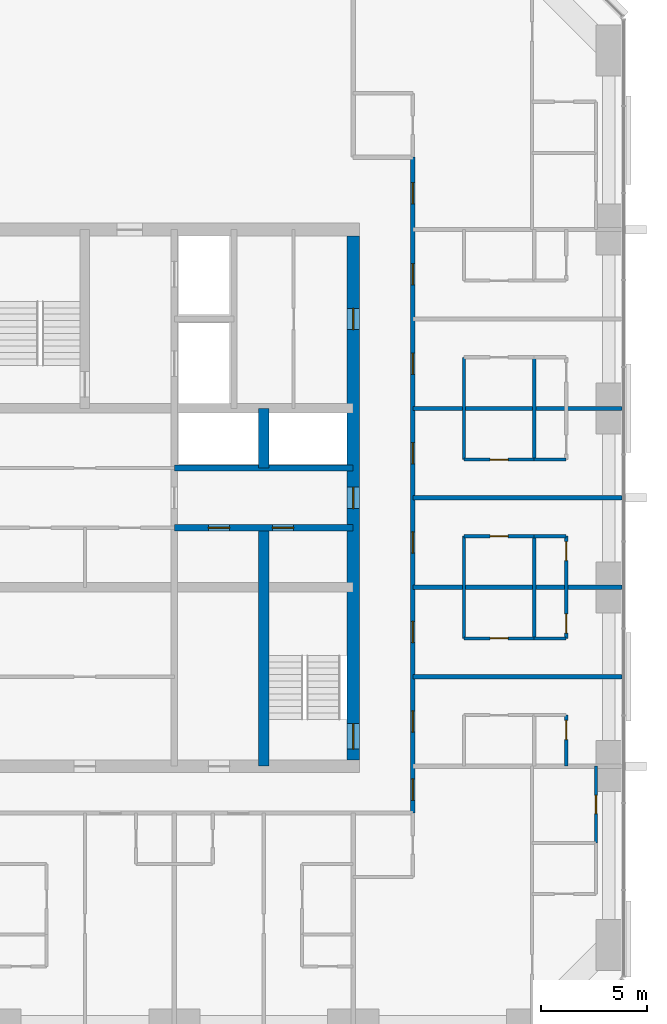
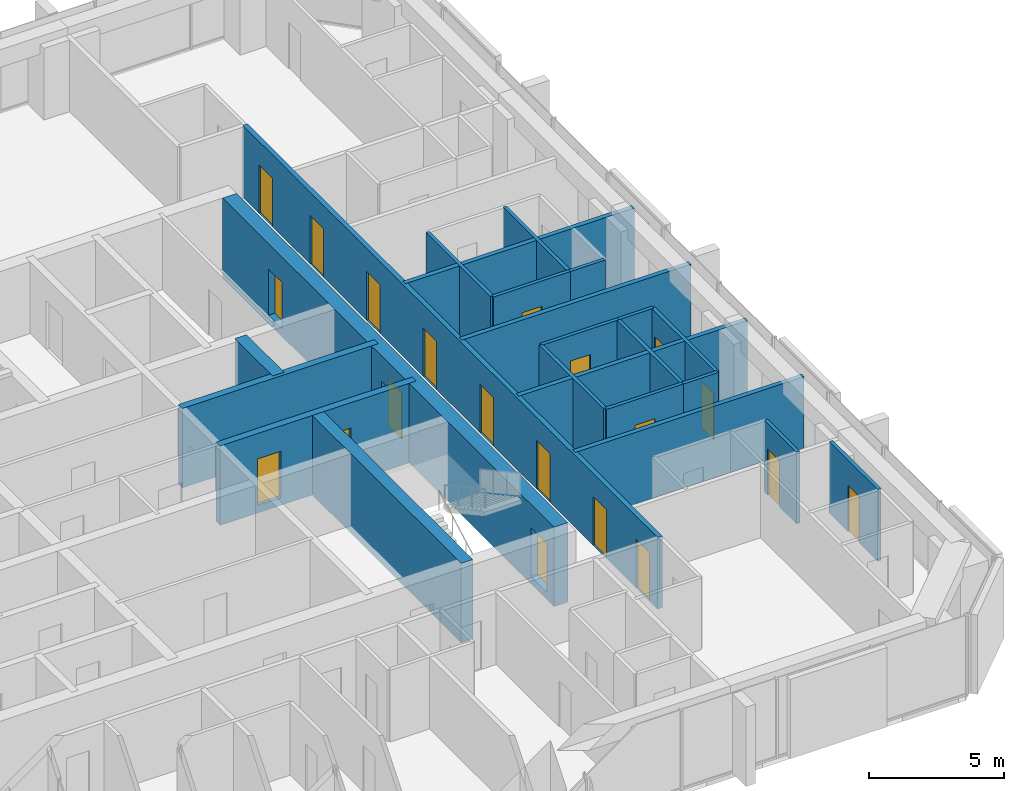
# One storey, part 11 of 14: 23 walls, 20 doors, 20 openings.
"""IFC4 building model written with IfcOpenShell, lengths in metres."""

from ifc_helpers import new_model, si_unit, direction, frame, frame_2d, origin, place, context, subcontext, project, spatial, rectangle, extrude, material, layer, layer_set, type_object, element, fill, save


model = new_model("IFC4")

# Units and contexts
model_context = context("Model", 3, precision=1e-05, world=origin(), true_north=direction((0.0, 1.0)))
body_context = subcontext(model_context, "Body", "Model", "MODEL_VIEW")
ifc_project = project(units=[si_unit("LENGTHUNIT", "METRE"), si_unit("AREAUNIT", "SQUARE_METRE"), si_unit("VOLUMEUNIT", "CUBIC_METRE"), si_unit("PLANEANGLEUNIT", "RADIAN"), si_unit("MASSUNIT", "GRAM", prefix="KILO")], contexts=[model_context])

# Site, building, storey
site_placement = place(None, origin())
site = spatial("IfcSite", under=ifc_project, at=site_placement, CompositionType="ELEMENT")
building_placement = place(site_placement, origin())
building = spatial("IfcBuilding", under=site, at=building_placement, Name="Dunama Terrace Hotel", CompositionType="ELEMENT")
storey_placement = place(building_placement, frame((0.0, 0.0, 180.60009765625)))
storey = spatial("IfcBuildingStorey", under=building, at=storey_placement, Name="L46", CompositionType="ELEMENT", Elevation=180.60009765625)

# Walls
ifc_material_1 = material(Name="Gypsum board partition", Category="masonry")
ifc_layer_1 = layer(ifc_material_1, 0.14990234375)
ifc_layer_set_1 = layer_set([ifc_layer_1], Name="Bathroom partition 150")
wall_type_1 = type_object("IfcWallType", Name="Bathroom partition 150", PredefinedType="PARTITIONING", material=ifc_layer_set_1)
for number, where, z_axis, x_axis, name in (
    (1, (47.199951171875, 22.800048828125, 0.0), (0.0, 0.0, 1.0), (0.0, 1.0, 0.0), "Bathroom partition 150 L46"),
    (2, (47.199951171875, 31.199951171875, 0.0), (0.0, 0.0, 1.0), (0.0, 1.0, 0.0), "Bathroom partition 150 L46"),
):
    element("IfcWall", number, at=place(storey_placement, frame(where, z_axis=z_axis, x_axis=x_axis)), inside=storey, type_object=wall_type_1, Name=name, PredefinedType="PARTITIONING", context=body_context, shape_type="SweptSolid", body=[
        extrude(rectangle(XDim=4.800048828125, YDim=0.14990234375, at=frame_2d((2.39990234375, 0.0))), origin(), (0.0, 0.0, 1.0), 3.25),
    ])

# Wall, opening, door
wall_1_placement = place(storey_placement, frame((53.39990234375, 13.199951171875, 0.0), z_axis=(0.0, 0.0, 1.0), x_axis=(0.0, 1.0, 0.0)))
wall_1 = element("IfcWall", 3, at=wall_1_placement, inside=storey, type_object=wall_type_1, Name="Bathroom partition 150 L46", PredefinedType="PARTITIONING", context=body_context, shape_type="SweptSolid", body=[
    extrude(rectangle(XDim=3.60009765625, YDim=0.14990234375, at=frame_2d((1.800048828125, 0.0))), origin(), (0.0, 0.0, 1.0), 3.25),
])
opening_1_placement = place(wall_1_placement, frame((1.375, 0.0, 0.0)))
opening_1 = element("IfcOpeningElement", 4, at=opening_1_placement, cuts=wall_1, Name="Opening L46-47-060", PredefinedType="OPENING", context=body_context, shape_type="SweptSolid", body=[
    extrude(rectangle(XDim=0.85009765625, YDim=2.10009765625, at=frame_2d((0.425048828125, 1.050048828125))), frame((0.0, 0.0849609375, 0.0), z_axis=(0.0, -1.0, 0.0), x_axis=(1.0, 0.0, 0.0)), (0.0, 0.0, 1.0), 0.169921875),
])
ifc_material_2 = material(Name="Timber door with steel frame", Category="steel")
door_type_1 = type_object("IfcDoorType", Name="Bathroom door 850", OperationType="SINGLE_SWING_LEFT", PredefinedType="DOOR", material=ifc_material_2)
door_1_placement = place(opening_1_placement, origin())
door_1 = element("IfcDoor", 5, at=door_1_placement, inside=storey, type_object=door_type_1, Name="Door to en-suite bathroom L46-47-060, type D2", OperationType="SINGLE_SWING_RIGHT", OverallHeight=2.10009765625, OverallWidth=0.85009765625, PredefinedType="DOOR", context=body_context, shape_type="SweptSolid", body=[
    extrude(rectangle(XDim=0.85009765625, YDim=2.10009765625, at=frame_2d((0.425048828125, 1.050048828125))), frame((0.0, 0.02490234375, 0.0), z_axis=(0.0, -1.0, 0.0), x_axis=(1.0, 0.0, 0.0)), (0.0, 0.0, 1.0), 0.050048828125),
])
fill(opening_1, door_1)

wall_2_placement = place(storey_placement, frame((47.199951171875, 22.800048828125, 0.0), z_axis=(0.0, 0.0, 1.0), x_axis=(1.0, 0.0, 0.0)))
wall_2 = element("IfcWall", 6, at=wall_2_placement, inside=storey, type_object=wall_type_1, Name="Bathroom partition 150 L46", PredefinedType="PARTITIONING", context=body_context, shape_type="SweptSolid", body=[
    extrude(rectangle(XDim=3.300048828125, YDim=0.14990234375, at=frame_2d((1.64990234375, 0.0))), origin(), (0.0, 0.0, 1.0), 3.25),
])
opening_2_placement = place(wall_2_placement, frame((1.22509765625, 0.0, 0.0)))
opening_2 = element("IfcOpeningElement", 7, at=opening_2_placement, cuts=wall_2, Name="Opening L46-47-028", PredefinedType="OPENING", context=body_context, shape_type="SweptSolid", body=[
    extrude(rectangle(XDim=0.85009765625, YDim=2.10009765625, at=frame_2d((0.425048828125, 1.050048828125))), frame((0.0, 0.0849609375, 0.0), z_axis=(0.0, -1.0, 0.0), x_axis=(1.0, 0.0, 0.0)), (0.0, 0.0, 1.0), 0.169921875),
])
door_2_placement = place(opening_2_placement, origin())
door_2 = element("IfcDoor", 8, at=door_2_placement, inside=storey, type_object=door_type_1, Name="Door to en-suite bathroom L46-47-028, type D2", OperationType="SINGLE_SWING_RIGHT", OverallHeight=2.10009765625, OverallWidth=0.85009765625, PredefinedType="DOOR", context=body_context, shape_type="SweptSolid", body=[
    extrude(rectangle(XDim=0.85009765625, YDim=2.10009765625, at=frame_2d((0.425048828125, 1.050048828125))), frame((0.0, 0.02490234375, 0.0), z_axis=(0.0, -1.0, 0.0), x_axis=(1.0, 0.0, 0.0)), (0.0, 0.0, 1.0), 0.050048828125),
])
fill(opening_2, door_2)

wall_3_placement = place(storey_placement, frame((47.199951171875, 27.60009765625, 0.0), z_axis=(0.0, 0.0, 1.0), x_axis=(1.0, 0.0, 0.0)))
wall_3 = element("IfcWall", 9, at=wall_3_placement, inside=storey, type_object=wall_type_1, Name="Bathroom partition 150 L46", PredefinedType="PARTITIONING", context=body_context, shape_type="SweptSolid", body=[
    extrude(rectangle(XDim=3.300048828125, YDim=0.14990234375, at=frame_2d((1.64990234375, 0.0))), origin(), (0.0, 0.0, 1.0), 3.25),
])
opening_3_placement = place(wall_3_placement, frame((1.22509765625, 0.0, 0.0)))
opening_3 = element("IfcOpeningElement", 10, at=opening_3_placement, cuts=wall_3, Name="Opening L46-47-031", PredefinedType="OPENING", context=body_context, shape_type="SweptSolid", body=[
    extrude(rectangle(XDim=0.85009765625, YDim=2.10009765625, at=frame_2d((0.425048828125, 1.050048828125))), frame((0.0, 0.0849609375, 0.0), z_axis=(0.0, -1.0, 0.0), x_axis=(1.0, 0.0, 0.0)), (0.0, 0.0, 1.0), 0.169921875),
])
door_3_placement = place(opening_3_placement, frame((0.85009765625, 0.0, 0.0), z_axis=(0.0, 0.0, 1.0), x_axis=(-1.0, 0.0, 0.0)))
door_3 = element("IfcDoor", 11, at=door_3_placement, inside=storey, type_object=door_type_1, Name="Door to en-suite bathroom L46-47-031, type D2", OperationType="SINGLE_SWING_LEFT", OverallHeight=2.10009765625, OverallWidth=0.85009765625, PredefinedType="DOOR", context=body_context, shape_type="SweptSolid", body=[
    extrude(rectangle(XDim=0.85009765625, YDim=2.10009765625, at=frame_2d((0.425048828125, 1.050048828125))), frame((0.0, 0.025146484375, 0.0), z_axis=(0.0, -1.0, 0.0), x_axis=(1.0, 0.0, 0.0)), (0.0, 0.0, 1.0), 0.050048828125),
])
fill(opening_3, door_3)

wall_4_placement = place(storey_placement, frame((47.199951171875, 31.199951171875, 0.0), z_axis=(0.0, 0.0, 1.0), x_axis=(1.0, 0.0, 0.0)))
wall_4 = element("IfcWall", 12, at=wall_4_placement, inside=storey, type_object=wall_type_1, Name="Bathroom partition 150 L46", PredefinedType="PARTITIONING", context=body_context, shape_type="SweptSolid", body=[
    extrude(rectangle(XDim=3.300048828125, YDim=0.14990234375, at=frame_2d((1.64990234375, 0.0))), origin(), (0.0, 0.0, 1.0), 3.25),
])
opening_4_placement = place(wall_4_placement, frame((1.22509765625, 0.0, 0.0)))
opening_4 = element("IfcOpeningElement", 13, at=opening_4_placement, cuts=wall_4, Name="Opening L46-47-034", PredefinedType="OPENING", context=body_context, shape_type="SweptSolid", body=[
    extrude(rectangle(XDim=0.85009765625, YDim=2.10009765625, at=frame_2d((0.425048828125, 1.050048828125))), frame((0.0, 0.0849609375, 0.0), z_axis=(0.0, -1.0, 0.0), x_axis=(1.0, 0.0, 0.0)), (0.0, 0.0, 1.0), 0.169921875),
])
door_4_placement = place(opening_4_placement, origin())
door_4 = element("IfcDoor", 14, at=door_4_placement, inside=storey, type_object=door_type_1, Name="Door to en-suite bathroom L46-47-034, type D2", OperationType="SINGLE_SWING_RIGHT", OverallHeight=2.10009765625, OverallWidth=0.85009765625, PredefinedType="DOOR", context=body_context, shape_type="SweptSolid", body=[
    extrude(rectangle(XDim=0.85009765625, YDim=2.10009765625, at=frame_2d((0.425048828125, 1.050048828125))), frame((0.0, 0.02490234375, 0.0), z_axis=(0.0, -1.0, 0.0), x_axis=(1.0, 0.0, 0.0)), (0.0, 0.0, 1.0), 0.050048828125),
])
fill(opening_4, door_4)

# Wall, openings, doors
ifc_material_3 = material(Name="Concrete C50/60", Category="concrete")
ifc_layer_2 = layer(ifc_material_3, 0.300048828125)
ifc_layer_set_2 = layer_set([ifc_layer_2], Name="Core inner wall 300")
wall_type_2 = type_object("IfcWallType", Name="Core inner wall 300", PredefinedType="SHEAR", material=ifc_layer_set_2)
wall_5_placement = place(storey_placement, frame((33.60009765625, 28.0, -0.35009765625), z_axis=(0.0, 0.0, 1.0), x_axis=(1.0, 0.0, 0.0)))
wall_5 = element("IfcWall", 15, at=wall_5_placement, inside=storey, type_object=wall_type_2, Name="Core inner wall 300 L46", PredefinedType="SHEAR", context=body_context, shape_type="SweptSolid", body=[
    extrude(rectangle(XDim=8.39990234375, YDim=0.300048828125, at=frame_2d((4.199951171875, 0.0))), origin(), (0.0, 0.0, 1.0), 3.60009765625),
])
opening_5_placement = place(wall_5_placement, frame((1.60009765625, 0.0, 0.35009765625)))
opening_5 = element("IfcOpeningElement", 16, at=opening_5_placement, cuts=wall_5, Name="Opening L46-47-084", PredefinedType="OPENING", context=body_context, shape_type="SweptSolid", body=[
    extrude(rectangle(XDim=1.0, YDim=2.10009765625, at=frame_2d((0.5, 1.050048828125))), frame((0.0, 0.159912109375, 0.0), z_axis=(0.0, -1.0, 0.0), x_axis=(1.0, 0.0, 0.0)), (0.0, 0.0, 1.0), 0.320068359375),
])
opening_6_placement = place(wall_5_placement, frame((4.60009765625, 0.0, 0.35009765625)))
opening_6 = element("IfcOpeningElement", 17, at=opening_6_placement, cuts=wall_5, Name="Opening L46-47-085", PredefinedType="OPENING", context=body_context, shape_type="SweptSolid", body=[
    extrude(rectangle(XDim=1.0, YDim=2.10009765625, at=frame_2d((0.5, 1.050048828125))), frame((0.0, 0.159912109375, 0.0), z_axis=(0.0, -1.0, 0.0), x_axis=(1.0, 0.0, 0.0)), (0.0, 0.0, 1.0), 0.320068359375),
])
ifc_material_4 = material(Name="Timber door with steel frame", Category="steel")
door_type_2 = type_object("IfcDoorType", Name="Service door 1000", OperationType="SINGLE_SWING_LEFT", PredefinedType="DOOR", material=ifc_material_4)
door_5_placement = place(opening_5_placement, frame((1.0, 0.0, 0.0), z_axis=(0.0, 0.0, 1.0), x_axis=(-1.0, 0.0, 0.0)))
door_5 = element("IfcDoor", 18, at=door_5_placement, inside=storey, type_object=door_type_2, Name="Door to service riser L46-47-084, type D7", OperationType="SINGLE_SWING_LEFT", OverallHeight=2.10009765625, OverallWidth=1.0, PredefinedType="DOOR", context=body_context, shape_type="SweptSolid", body=[
    extrude(rectangle(XDim=1.0, YDim=2.10009765625, at=frame_2d((0.5, 1.050048828125))), frame((0.0, 0.025146484375, 0.0), z_axis=(0.0, -1.0, 0.0), x_axis=(1.0, 0.0, 0.0)), (0.0, 0.0, 1.0), 0.050048828125),
])
fill(opening_5, door_5)
door_6_placement = place(opening_6_placement, frame((1.0, 0.0, 0.0), z_axis=(0.0, 0.0, 1.0), x_axis=(-1.0, 0.0, 0.0)))
door_6 = element("IfcDoor", 19, at=door_6_placement, inside=storey, type_object=door_type_2, Name="Door to cleaners store L46-47-085, type D7", OperationType="SINGLE_SWING_RIGHT", OverallHeight=2.10009765625, OverallWidth=1.0, PredefinedType="DOOR", context=body_context, shape_type="SweptSolid", body=[
    extrude(rectangle(XDim=1.0, YDim=2.10009765625, at=frame_2d((0.5, 1.050048828125))), frame((0.0, 0.025146484375, 0.0), z_axis=(0.0, -1.0, 0.0), x_axis=(1.0, 0.0, 0.0)), (0.0, 0.0, 1.0), 0.050048828125),
])
fill(opening_6, door_6)

# Walls
wall_6_placement = place(storey_placement, frame((33.60009765625, 30.800048828125, -0.35009765625), z_axis=(0.0, 0.0, 1.0), x_axis=(1.0, 0.0, 0.0)))
element("IfcWall", 20, at=wall_6_placement, inside=storey, type_object=wall_type_2, Name="Core inner wall 300 L46", PredefinedType="SHEAR", context=body_context, shape_type="SweptSolid", body=[
    extrude(rectangle(XDim=8.39990234375, YDim=0.300048828125, at=frame_2d((4.199951171875, 0.0))), origin(), (0.0, 0.0, 1.0), 3.60009765625),
])
ifc_material_5 = material(Name="Concrete C50/60", Category="concrete")
ifc_layer_3 = layer(ifc_material_5, 0.5)
ifc_layer_set_3 = layer_set([ifc_layer_3], Name="Core inner wall 500")
wall_type_3 = type_object("IfcWallType", Name="Core inner wall 500", PredefinedType="SHEAR", material=ifc_layer_set_3)
wall_7_placement = place(storey_placement, frame((37.800048828125, 16.800048828125, -0.35009765625), z_axis=(0.0, 0.0, 1.0), x_axis=(0.0, 1.0, 0.0)))
element("IfcWall", 21, at=wall_7_placement, inside=storey, type_object=wall_type_3, Name="Core inner wall 500 L46", PredefinedType="SHEAR", context=body_context, shape_type="SweptSolid", body=[
    extrude(rectangle(XDim=11.199951171875, YDim=0.5, at=frame_2d((5.60009765625, 0.0))), origin(), (0.0, 0.0, 1.0), 3.60009765625),
])
wall_8_placement = place(storey_placement, frame((37.800048828125, 30.800048828125, -0.35009765625), z_axis=(0.0, 0.0, 1.0), x_axis=(0.0, 1.0, 0.0)))
element("IfcWall", 22, at=wall_8_placement, inside=storey, type_object=wall_type_3, Name="Core inner wall 500 L46", PredefinedType="SHEAR", context=body_context, shape_type="SweptSolid", body=[
    extrude(rectangle(XDim=2.800048828125, YDim=0.5, at=frame_2d((1.39990234375, 0.0))), origin(), (0.0, 0.0, 1.0), 3.60009765625),
])

# Wall, openings, doors
ifc_material_6 = material(Name="Concrete C50/60", Category="concrete")
ifc_layer_4 = layer(ifc_material_6, 0.60009765625)
ifc_layer_set_4 = layer_set([ifc_layer_4], Name="Core wall 600")
wall_type_4 = type_object("IfcWallType", Name="Core wall 600", PredefinedType="SHEAR", material=ifc_layer_set_4)
wall_9_placement = place(storey_placement, frame((42.0, 17.10009765625, -0.35009765625), z_axis=(0.0, 0.0, 1.0), x_axis=(0.0, 1.0, 0.0)))
wall_9 = element("IfcWall", 23, at=wall_9_placement, inside=storey, type_object=wall_type_4, Name="Core wall east L46", PredefinedType="SHEAR", context=body_context, shape_type="SweptSolid", body=[
    extrude(rectangle(XDim=24.599853515625, YDim=0.60009765625, at=frame_2d((12.2998046875, 0.0))), origin(), (0.0, 0.0, 1.0), 3.60009765625),
])
opening_7_placement = place(wall_9_placement, frame((0.5, 0.0, 0.35009765625)))
opening_7 = element("IfcOpeningElement", 24, at=opening_7_placement, cuts=wall_9, Name="Opening L46-47-002", PredefinedType="OPENING", context=body_context, shape_type="SweptSolid", body=[
    extrude(rectangle(XDim=1.199951171875, YDim=2.199951171875, at=frame_2d((0.60009765625, 1.10009765625))), frame((0.0, 0.31005859375, 0.0), z_axis=(0.0, -1.0, 0.0), x_axis=(1.0, 0.0, 0.0)), (0.0, 0.0, 1.0), 0.6201171875),
])
opening_8_placement = place(wall_9_placement, frame((11.800048828125, 0.0, 0.35009765625)))
opening_8 = element("IfcOpeningElement", 25, at=opening_8_placement, cuts=wall_9, Name="Opening L46-47-086", PredefinedType="OPENING", context=body_context, shape_type="SweptSolid", body=[
    extrude(rectangle(XDim=1.0, YDim=2.10009765625, at=frame_2d((0.5, 1.050048828125))), frame((0.0, 0.31005859375, 0.0), z_axis=(0.0, -1.0, 0.0), x_axis=(1.0, 0.0, 0.0)), (0.0, 0.0, 1.0), 0.6201171875),
])
opening_9_placement = place(wall_9_placement, frame((20.199951171875, 0.0, 0.35009765625)))
opening_9 = element("IfcOpeningElement", 26, at=opening_9_placement, cuts=wall_9, Name="Opening L46-47-088", PredefinedType="OPENING", context=body_context, shape_type="SweptSolid", body=[
    extrude(rectangle(XDim=1.0, YDim=2.10009765625, at=frame_2d((0.5, 1.050048828125))), frame((0.0, 0.31005859375, 0.0), z_axis=(0.0, -1.0, 0.0), x_axis=(1.0, 0.0, 0.0)), (0.0, 0.0, 1.0), 0.6201171875),
])
door_7_placement = place(opening_8_placement, origin())
door_7 = element("IfcDoor", 27, at=door_7_placement, inside=storey, type_object=door_type_2, Name="Door to service lobby L46-47-086, type D7", OperationType="SINGLE_SWING_RIGHT", OverallHeight=2.10009765625, OverallWidth=1.0, PredefinedType="DOOR", context=body_context, shape_type="SweptSolid", body=[
    extrude(rectangle(XDim=1.0, YDim=2.10009765625, at=frame_2d((0.5, 1.050048828125))), frame((0.0, 0.02490234375, 0.0), z_axis=(0.0, -1.0, 0.0), x_axis=(1.0, 0.0, 0.0)), (0.0, 0.0, 1.0), 0.050048828125),
])
fill(opening_8, door_7)
door_8_placement = place(opening_9_placement, origin())
door_8 = element("IfcDoor", 28, at=door_8_placement, inside=storey, type_object=door_type_2, Name="Door to guest pantry L46-47-088, type D7", OperationType="SINGLE_SWING_LEFT", OverallHeight=2.10009765625, OverallWidth=1.0, PredefinedType="DOOR", context=body_context, shape_type="SweptSolid", body=[
    extrude(rectangle(XDim=1.0, YDim=2.10009765625, at=frame_2d((0.5, 1.050048828125))), frame((0.0, 0.02490234375, 0.0), z_axis=(0.0, -1.0, 0.0), x_axis=(1.0, 0.0, 0.0)), (0.0, 0.0, 1.0), 0.050048828125),
])
fill(opening_9, door_8)
ifc_material_7 = material(Name="Timber door with steel frame", Category="steel")
door_type_3 = type_object("IfcDoorType", Name="Stair door 1200", OperationType="SINGLE_SWING_LEFT", PredefinedType="DOOR", material=ifc_material_7)
door_9_placement = place(opening_7_placement, origin())
door_9 = element("IfcDoor", 29, at=door_9_placement, inside=storey, type_object=door_type_3, Name="Stair door ST2 L46-47-002, type D5", OperationType="SINGLE_SWING_LEFT", OverallHeight=2.199951171875, OverallWidth=1.199951171875, PredefinedType="DOOR", context=body_context, shape_type="SweptSolid", body=[
    extrude(rectangle(XDim=1.199951171875, YDim=2.199951171875, at=frame_2d((0.60009765625, 1.10009765625))), frame((0.0, 0.02490234375, 0.0), z_axis=(0.0, -1.0, 0.0), x_axis=(1.0, 0.0, 0.0)), (0.0, 0.0, 1.0), 0.050048828125),
])
fill(opening_7, door_9)

ifc_material_8 = material(Name="Concrete blockwork", Category="masonry")
ifc_layer_5 = layer(ifc_material_8, 0.199951171875)
ifc_layer_set_5 = layer_set([ifc_layer_5], Name="Corridor partition 200")
wall_type_5 = type_object("IfcWallType", Name="Corridor partition 200", PredefinedType="PARTITIONING", material=ifc_layer_set_5)
wall_10_placement = place(storey_placement, frame((44.800048828125, 45.39990234375, 0.0), z_axis=(0.0, 0.0, 1.0), x_axis=(0.0, -1.0, 0.0)))
wall_10 = element("IfcWall", 30, at=wall_10_placement, inside=storey, type_object=wall_type_5, Name="Corridor partition 200 L46", PredefinedType="PARTITIONING", context=body_context, shape_type="SweptSolid", body=[
    extrude(rectangle(XDim=30.7998046875, YDim=0.199951171875, at=frame_2d((15.39990234375, 0.0))), origin(), (0.0, 0.0, 1.0), 3.25),
])
opening_10_placement = place(wall_10_placement, frame((26.0, 0.0, 0.0)))
opening_10 = element("IfcOpeningElement", 31, at=opening_10_placement, cuts=wall_10, Name="Opening L46-47-024", PredefinedType="OPENING", context=body_context, shape_type="SweptSolid", body=[
    extrude(rectangle(XDim=1.0, YDim=2.199951171875, at=frame_2d((0.5, 1.10009765625))), frame((0.0, 0.10986328125, 0.0), z_axis=(0.0, -1.0, 0.0), x_axis=(1.0, 0.0, 0.0)), (0.0, 0.0, 1.0), 0.219970703125),
])
opening_11_placement = place(wall_10_placement, frame((21.800048828125, 0.0, 0.0)))
opening_11 = element("IfcOpeningElement", 32, at=opening_11_placement, cuts=wall_10, Name="Opening L46-47-027", PredefinedType="OPENING", context=body_context, shape_type="SweptSolid", body=[
    extrude(rectangle(XDim=1.0, YDim=2.199951171875, at=frame_2d((0.5, 1.10009765625))), frame((0.0, 0.10986328125, 0.0), z_axis=(0.0, -1.0, 0.0), x_axis=(1.0, 0.0, 0.0)), (0.0, 0.0, 1.0), 0.219970703125),
])
opening_12_placement = place(wall_10_placement, frame((17.60009765625, 0.0, 0.0)))
opening_12 = element("IfcOpeningElement", 33, at=opening_12_placement, cuts=wall_10, Name="Opening L46-47-030", PredefinedType="OPENING", context=body_context, shape_type="SweptSolid", body=[
    extrude(rectangle(XDim=1.0, YDim=2.199951171875, at=frame_2d((0.5, 1.10009765625))), frame((0.0, 0.10986328125, 0.0), z_axis=(0.0, -1.0, 0.0), x_axis=(1.0, 0.0, 0.0)), (0.0, 0.0, 1.0), 0.219970703125),
])
opening_13_placement = place(wall_10_placement, frame((13.39990234375, 0.0, 0.0)))
opening_13 = element("IfcOpeningElement", 34, at=opening_13_placement, cuts=wall_10, Name="Opening L46-47-033", PredefinedType="OPENING", context=body_context, shape_type="SweptSolid", body=[
    extrude(rectangle(XDim=1.0, YDim=2.199951171875, at=frame_2d((0.5, 1.10009765625))), frame((0.0, 0.10986328125, 0.0), z_axis=(0.0, -1.0, 0.0), x_axis=(1.0, 0.0, 0.0)), (0.0, 0.0, 1.0), 0.219970703125),
])
opening_14_placement = place(wall_10_placement, frame((9.199951171875, 0.0, 0.0)))
opening_14 = element("IfcOpeningElement", 35, at=opening_14_placement, cuts=wall_10, Name="Opening L46-47-036", PredefinedType="OPENING", context=body_context, shape_type="SweptSolid", body=[
    extrude(rectangle(XDim=1.0, YDim=2.199951171875, at=frame_2d((0.5, 1.10009765625))), frame((0.0, 0.10986328125, 0.0), z_axis=(0.0, -1.0, 0.0), x_axis=(1.0, 0.0, 0.0)), (0.0, 0.0, 1.0), 0.219970703125),
])
opening_15_placement = place(wall_10_placement, frame((5.0, 0.0, 0.0)))
opening_15 = element("IfcOpeningElement", 36, at=opening_15_placement, cuts=wall_10, Name="Opening L46-47-039", PredefinedType="OPENING", context=body_context, shape_type="SweptSolid", body=[
    extrude(rectangle(XDim=1.0, YDim=2.199951171875, at=frame_2d((0.5, 1.10009765625))), frame((0.0, 0.10986328125, 0.0), z_axis=(0.0, -1.0, 0.0), x_axis=(1.0, 0.0, 0.0)), (0.0, 0.0, 1.0), 0.219970703125),
])
opening_16_placement = place(wall_10_placement, frame((29.199951171875, 0.0, 0.0)))
opening_16 = element("IfcOpeningElement", 37, at=opening_16_placement, cuts=wall_10, Name="Opening L46-47-057", PredefinedType="OPENING", context=body_context, shape_type="SweptSolid", body=[
    extrude(rectangle(XDim=1.0, YDim=2.199951171875, at=frame_2d((0.5, 1.10009765625))), frame((0.0, 0.10986328125, 0.0), z_axis=(0.0, -1.0, 0.0), x_axis=(1.0, 0.0, 0.0)), (0.0, 0.0, 1.0), 0.219970703125),
])
opening_17_placement = place(wall_10_placement, frame((1.199951171875, 0.0, 0.0)))
opening_17 = element("IfcOpeningElement", 38, at=opening_17_placement, cuts=wall_10, Name="Opening L46-47-062", PredefinedType="OPENING", context=body_context, shape_type="SweptSolid", body=[
    extrude(rectangle(XDim=1.0, YDim=2.199951171875, at=frame_2d((0.5, 1.10009765625))), frame((0.0, 0.10986328125, 0.0), z_axis=(0.0, -1.0, 0.0), x_axis=(1.0, 0.0, 0.0)), (0.0, 0.0, 1.0), 0.219970703125),
])
ifc_material_9 = material(Name="Timber door with steel frame", Category="steel")
door_type_4 = type_object("IfcDoorType", Name="Guest room door 1000", OperationType="SINGLE_SWING_LEFT", PredefinedType="DOOR", material=ifc_material_9)
door_10_placement = place(opening_10_placement, origin())
door_10 = element("IfcDoor", 39, at=door_10_placement, inside=storey, type_object=door_type_4, Name="Door to club room L46-47-024, type D1", OperationType="SINGLE_SWING_RIGHT", OverallHeight=2.199951171875, OverallWidth=1.0, PredefinedType="DOOR", context=body_context, shape_type="SweptSolid", body=[
    extrude(rectangle(XDim=1.0, YDim=2.199951171875, at=frame_2d((0.5, 1.10009765625))), frame((0.0, 0.02490234375, 0.0), z_axis=(0.0, -1.0, 0.0), x_axis=(1.0, 0.0, 0.0)), (0.0, 0.0, 1.0), 0.050048828125),
])
fill(opening_10, door_10)
door_11_placement = place(opening_11_placement, origin())
door_11 = element("IfcDoor", 40, at=door_11_placement, inside=storey, type_object=door_type_4, Name="Door to club room L46-47-027, type D1", OperationType="SINGLE_SWING_LEFT", OverallHeight=2.199951171875, OverallWidth=1.0, PredefinedType="DOOR", context=body_context, shape_type="SweptSolid", body=[
    extrude(rectangle(XDim=1.0, YDim=2.199951171875, at=frame_2d((0.5, 1.10009765625))), frame((0.0, 0.02490234375, 0.0), z_axis=(0.0, -1.0, 0.0), x_axis=(1.0, 0.0, 0.0)), (0.0, 0.0, 1.0), 0.050048828125),
])
fill(opening_11, door_11)
door_12_placement = place(opening_12_placement, origin())
door_12 = element("IfcDoor", 41, at=door_12_placement, inside=storey, type_object=door_type_4, Name="Door to club room L46-47-030, type D1", OperationType="SINGLE_SWING_RIGHT", OverallHeight=2.199951171875, OverallWidth=1.0, PredefinedType="DOOR", context=body_context, shape_type="SweptSolid", body=[
    extrude(rectangle(XDim=1.0, YDim=2.199951171875, at=frame_2d((0.5, 1.10009765625))), frame((0.0, 0.02490234375, 0.0), z_axis=(0.0, -1.0, 0.0), x_axis=(1.0, 0.0, 0.0)), (0.0, 0.0, 1.0), 0.050048828125),
])
fill(opening_12, door_12)
door_13_placement = place(opening_13_placement, origin())
door_13 = element("IfcDoor", 42, at=door_13_placement, inside=storey, type_object=door_type_4, Name="Door to club room L46-47-033, type D1", OperationType="SINGLE_SWING_LEFT", OverallHeight=2.199951171875, OverallWidth=1.0, PredefinedType="DOOR", context=body_context, shape_type="SweptSolid", body=[
    extrude(rectangle(XDim=1.0, YDim=2.199951171875, at=frame_2d((0.5, 1.10009765625))), frame((0.0, 0.02490234375, 0.0), z_axis=(0.0, -1.0, 0.0), x_axis=(1.0, 0.0, 0.0)), (0.0, 0.0, 1.0), 0.050048828125),
])
fill(opening_13, door_13)
door_14_placement = place(opening_14_placement, origin())
door_14 = element("IfcDoor", 43, at=door_14_placement, inside=storey, type_object=door_type_4, Name="Door to club room L46-47-036, type D1", OperationType="SINGLE_SWING_RIGHT", OverallHeight=2.199951171875, OverallWidth=1.0, PredefinedType="DOOR", context=body_context, shape_type="SweptSolid", body=[
    extrude(rectangle(XDim=1.0, YDim=2.199951171875, at=frame_2d((0.5, 1.10009765625))), frame((0.0, 0.02490234375, 0.0), z_axis=(0.0, -1.0, 0.0), x_axis=(1.0, 0.0, 0.0)), (0.0, 0.0, 1.0), 0.050048828125),
])
fill(opening_14, door_14)
door_15_placement = place(opening_15_placement, origin())
door_15 = element("IfcDoor", 44, at=door_15_placement, inside=storey, type_object=door_type_4, Name="Door to club room L46-47-039, type D1", OperationType="SINGLE_SWING_LEFT", OverallHeight=2.199951171875, OverallWidth=1.0, PredefinedType="DOOR", context=body_context, shape_type="SweptSolid", body=[
    extrude(rectangle(XDim=1.0, YDim=2.199951171875, at=frame_2d((0.5, 1.10009765625))), frame((0.0, 0.02490234375, 0.0), z_axis=(0.0, -1.0, 0.0), x_axis=(1.0, 0.0, 0.0)), (0.0, 0.0, 1.0), 0.050048828125),
])
fill(opening_15, door_15)
door_16_placement = place(opening_16_placement, origin())
door_16 = element("IfcDoor", 45, at=door_16_placement, inside=storey, type_object=door_type_4, Name="Door to corner suite living room L46-47-057, type D1", OperationType="SINGLE_SWING_LEFT", OverallHeight=2.199951171875, OverallWidth=1.0, PredefinedType="DOOR", context=body_context, shape_type="SweptSolid", body=[
    extrude(rectangle(XDim=1.0, YDim=2.199951171875, at=frame_2d((0.5, 1.10009765625))), frame((0.0, 0.02490234375, 0.0), z_axis=(0.0, -1.0, 0.0), x_axis=(1.0, 0.0, 0.0)), (0.0, 0.0, 1.0), 0.050048828125),
])
fill(opening_16, door_16)
door_17_placement = place(opening_17_placement, origin())
door_17 = element("IfcDoor", 46, at=door_17_placement, inside=storey, type_object=door_type_4, Name="Door to corner suite living room L46-47-062, type D1", OperationType="SINGLE_SWING_RIGHT", OverallHeight=2.199951171875, OverallWidth=1.0, PredefinedType="DOOR", context=body_context, shape_type="SweptSolid", body=[
    extrude(rectangle(XDim=1.0, YDim=2.199951171875, at=frame_2d((0.5, 1.10009765625))), frame((0.0, 0.02490234375, 0.0), z_axis=(0.0, -1.0, 0.0), x_axis=(1.0, 0.0, 0.0)), (0.0, 0.0, 1.0), 0.050048828125),
])
fill(opening_17, door_17)

# Walls
ifc_material_10 = material(Name="Concrete blockwork", Category="masonry")
ifc_layer_6 = layer(ifc_material_10, 0.199951171875)
ifc_layer_set_6 = layer_set([ifc_layer_6], Name="Party wall 200")
wall_type_6 = type_object("IfcWallType", Name="Party wall 200", PredefinedType="PARTITIONING", material=ifc_layer_set_6)
for number, where, z_axis, x_axis, name in (
    (47, (44.800048828125, 21.0, 0.0), (0.0, 0.0, 1.0), (1.0, 0.0, 0.0), "Party wall 200 L46"),
    (48, (44.800048828125, 25.199951171875, 0.0), (0.0, 0.0, 1.0), (1.0, 0.0, 0.0), "Party wall 200 L46"),
    (49, (44.800048828125, 29.39990234375, 0.0), (0.0, 0.0, 1.0), (1.0, 0.0, 0.0), "Party wall 200 L46"),
    (50, (44.800048828125, 33.60009765625, 0.0), (0.0, 0.0, 1.0), (1.0, 0.0, 0.0), "Party wall 200 L46"),
):
    element("IfcWall", number, at=place(storey_placement, frame(where, z_axis=z_axis, x_axis=x_axis)), inside=storey, type_object=wall_type_6, Name=name, PredefinedType="PARTITIONING", context=body_context, shape_type="SweptSolid", body=[
        extrude(rectangle(XDim=9.81787109375, YDim=0.199951171875, at=frame_2d((4.908935546875, 0.0))), origin(), (0.0, 0.0, 1.0), 3.25),
    ])
ifc_material_11 = material(Name="Gypsum board partition", Category="masonry")
ifc_layer_7 = layer(ifc_material_11, 0.14990234375)
ifc_layer_set_7 = layer_set([ifc_layer_7], Name="Room partition 150")
wall_type_7 = type_object("IfcWallType", Name="Room partition 150", PredefinedType="PARTITIONING", material=ifc_layer_set_7)
for number, where, z_axis, x_axis, name in (
    (51, (50.5, 22.800048828125, 0.0), (0.0, 0.0, 1.0), (0.0, 1.0, 0.0), "Room partition 150 L46"),
    (52, (50.5, 31.199951171875, 0.0), (0.0, 0.0, 1.0), (0.0, 1.0, 0.0), "Room partition 150 L46"),
):
    element("IfcWall", number, at=place(storey_placement, frame(where, z_axis=z_axis, x_axis=x_axis)), inside=storey, type_object=wall_type_7, Name=name, PredefinedType="PARTITIONING", context=body_context, shape_type="SweptSolid", body=[
        extrude(rectangle(XDim=4.800048828125, YDim=0.14990234375, at=frame_2d((2.39990234375, 0.0))), origin(), (0.0, 0.0, 1.0), 3.25),
    ])

# Wall, opening, door
wall_11_placement = place(storey_placement, frame((52.0, 16.800048828125, 0.0), z_axis=(0.0, 0.0, 1.0), x_axis=(0.0, 1.0, 0.0)))
wall_11 = element("IfcWall", 53, at=wall_11_placement, inside=storey, type_object=wall_type_7, Name="Room partition 150 L46", PredefinedType="PARTITIONING", context=body_context, shape_type="SweptSolid", body=[
    extrude(rectangle(XDim=2.39990234375, YDim=0.14990234375, at=frame_2d((1.199951171875, 0.0))), origin(), (0.0, 0.0, 1.0), 3.25),
])
opening_18_placement = place(wall_11_placement, frame((1.25, 0.0, 0.0)))
opening_18 = element("IfcOpeningElement", 54, at=opening_18_placement, cuts=wall_11, Name="Opening L46-47-026", PredefinedType="OPENING", context=body_context, shape_type="SweptSolid", body=[
    extrude(rectangle(XDim=0.89990234375, YDim=2.10009765625, at=frame_2d((0.449951171875, 1.050048828125))), frame((0.0, 0.0849609375, 0.0), z_axis=(0.0, -1.0, 0.0), x_axis=(1.0, 0.0, 0.0)), (0.0, 0.0, 1.0), 0.169921875),
])
ifc_material_12 = material(Name="Timber door with steel frame", Category="steel")
door_type_5 = type_object("IfcDoorType", Name="Suite internal door 900", OperationType="SINGLE_SWING_LEFT", PredefinedType="DOOR", material=ifc_material_12)
door_18_placement = place(opening_18_placement, origin())
door_18 = element("IfcDoor", 55, at=door_18_placement, inside=storey, type_object=door_type_5, Name="Door to walk-in wardrobe L46-47-026, type D16", OperationType="SINGLE_SWING_RIGHT", OverallHeight=2.10009765625, OverallWidth=0.89990234375, PredefinedType="DOOR", context=body_context, shape_type="SweptSolid", body=[
    extrude(rectangle(XDim=0.89990234375, YDim=2.10009765625, at=frame_2d((0.449951171875, 1.050048828125))), frame((0.0, 0.02490234375, 0.0), z_axis=(0.0, -1.0, 0.0), x_axis=(1.0, 0.0, 0.0)), (0.0, 0.0, 1.0), 0.050048828125),
])
fill(opening_18, door_18)

# Wall, openings, doors
wall_12_placement = place(storey_placement, frame((52.0, 22.800048828125, 0.0), z_axis=(0.0, 0.0, 1.0), x_axis=(0.0, 1.0, 0.0)))
wall_12 = element("IfcWall", 56, at=wall_12_placement, inside=storey, type_object=wall_type_7, Name="Room partition 150 L46", PredefinedType="PARTITIONING", context=body_context, shape_type="SweptSolid", body=[
    extrude(rectangle(XDim=4.800048828125, YDim=0.14990234375, at=frame_2d((2.39990234375, 0.0))), origin(), (0.0, 0.0, 1.0), 3.25),
])
opening_19_placement = place(wall_12_placement, frame((0.25, 0.0, 0.0)))
opening_19 = element("IfcOpeningElement", 57, at=opening_19_placement, cuts=wall_12, Name="Opening L46-47-029", PredefinedType="OPENING", context=body_context, shape_type="SweptSolid", body=[
    extrude(rectangle(XDim=0.89990234375, YDim=2.10009765625, at=frame_2d((0.449951171875, 1.050048828125))), frame((0.0, 0.0849609375, 0.0), z_axis=(0.0, -1.0, 0.0), x_axis=(1.0, 0.0, 0.0)), (0.0, 0.0, 1.0), 0.169921875),
])
opening_20_placement = place(wall_12_placement, frame((3.64990234375, 0.0, 0.0)))
opening_20 = element("IfcOpeningElement", 58, at=opening_20_placement, cuts=wall_12, Name="Opening L46-47-032", PredefinedType="OPENING", context=body_context, shape_type="SweptSolid", body=[
    extrude(rectangle(XDim=0.89990234375, YDim=2.10009765625, at=frame_2d((0.449951171875, 1.050048828125))), frame((0.0, 0.0849609375, 0.0), z_axis=(0.0, -1.0, 0.0), x_axis=(1.0, 0.0, 0.0)), (0.0, 0.0, 1.0), 0.169921875),
])
door_19_placement = place(opening_19_placement, origin())
door_19 = element("IfcDoor", 59, at=door_19_placement, inside=storey, type_object=door_type_5, Name="Door to walk-in wardrobe L46-47-029, type D16", OperationType="SINGLE_SWING_LEFT", OverallHeight=2.10009765625, OverallWidth=0.89990234375, PredefinedType="DOOR", context=body_context, shape_type="SweptSolid", body=[
    extrude(rectangle(XDim=0.89990234375, YDim=2.10009765625, at=frame_2d((0.449951171875, 1.050048828125))), frame((0.0, 0.02490234375, 0.0), z_axis=(0.0, -1.0, 0.0), x_axis=(1.0, 0.0, 0.0)), (0.0, 0.0, 1.0), 0.050048828125),
])
fill(opening_19, door_19)
door_20_placement = place(opening_20_placement, origin())
door_20 = element("IfcDoor", 60, at=door_20_placement, inside=storey, type_object=door_type_5, Name="Door to walk-in wardrobe L46-47-032, type D16", OperationType="SINGLE_SWING_RIGHT", OverallHeight=2.10009765625, OverallWidth=0.89990234375, PredefinedType="DOOR", context=body_context, shape_type="SweptSolid", body=[
    extrude(rectangle(XDim=0.89990234375, YDim=2.10009765625, at=frame_2d((0.449951171875, 1.050048828125))), frame((0.0, 0.02490234375, 0.0), z_axis=(0.0, -1.0, 0.0), x_axis=(1.0, 0.0, 0.0)), (0.0, 0.0, 1.0), 0.050048828125),
])
fill(opening_20, door_20)

# Walls
for number, where, z_axis, x_axis, name in (
    (61, (50.5, 22.800048828125, 0.0), (0.0, 0.0, 1.0), (1.0, 0.0, 0.0), "Room partition 150 L46"),
    (62, (50.5, 27.60009765625, 0.0), (0.0, 0.0, 1.0), (1.0, 0.0, 0.0), "Room partition 150 L46"),
    (63, (50.5, 31.199951171875, 0.0), (0.0, 0.0, 1.0), (1.0, 0.0, 0.0), "Room partition 150 L46"),
):
    element("IfcWall", number, at=place(storey_placement, frame(where, z_axis=z_axis, x_axis=x_axis)), inside=storey, type_object=wall_type_7, Name=name, PredefinedType="PARTITIONING", context=body_context, shape_type="SweptSolid", body=[
        extrude(rectangle(XDim=1.5, YDim=0.14990234375, at=frame_2d((0.75, 0.0))), origin(), (0.0, 0.0, 1.0), 3.25),
    ])

save(model, "model.ifc")
